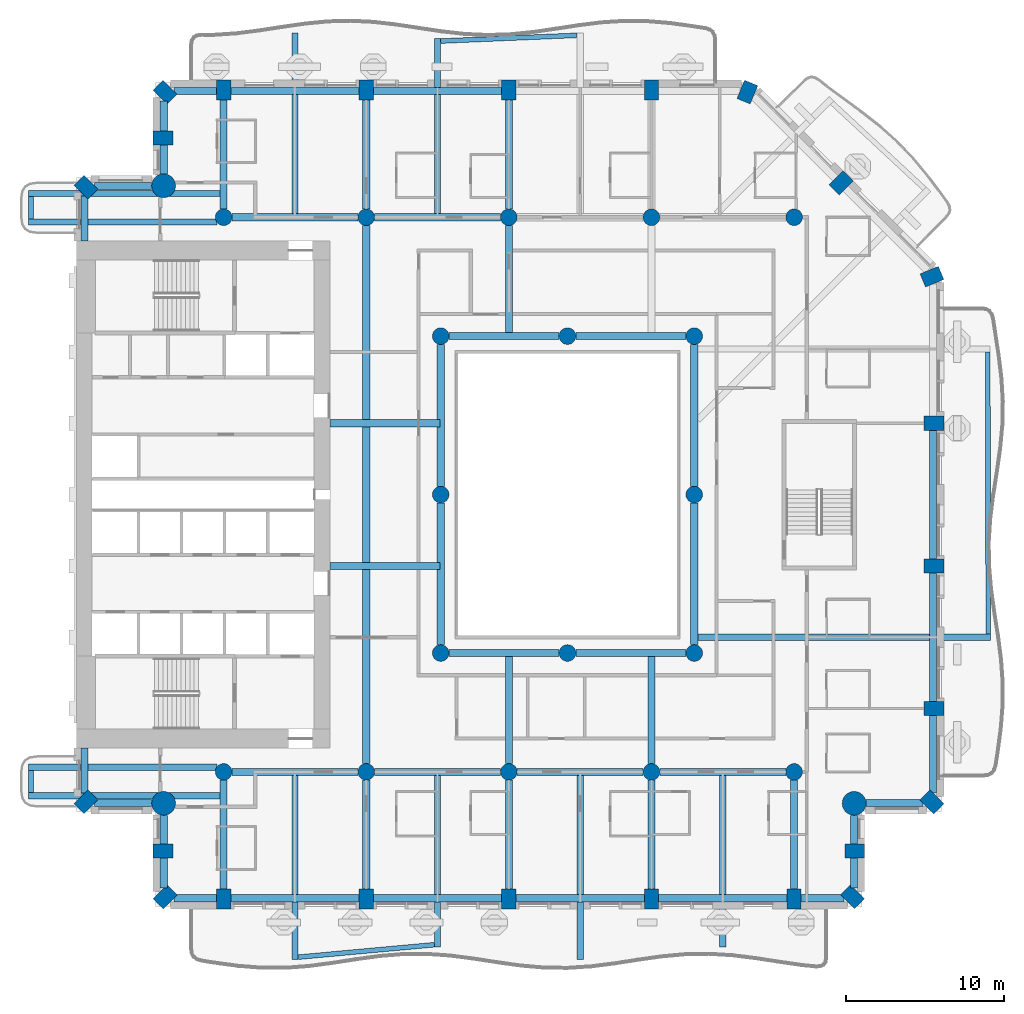
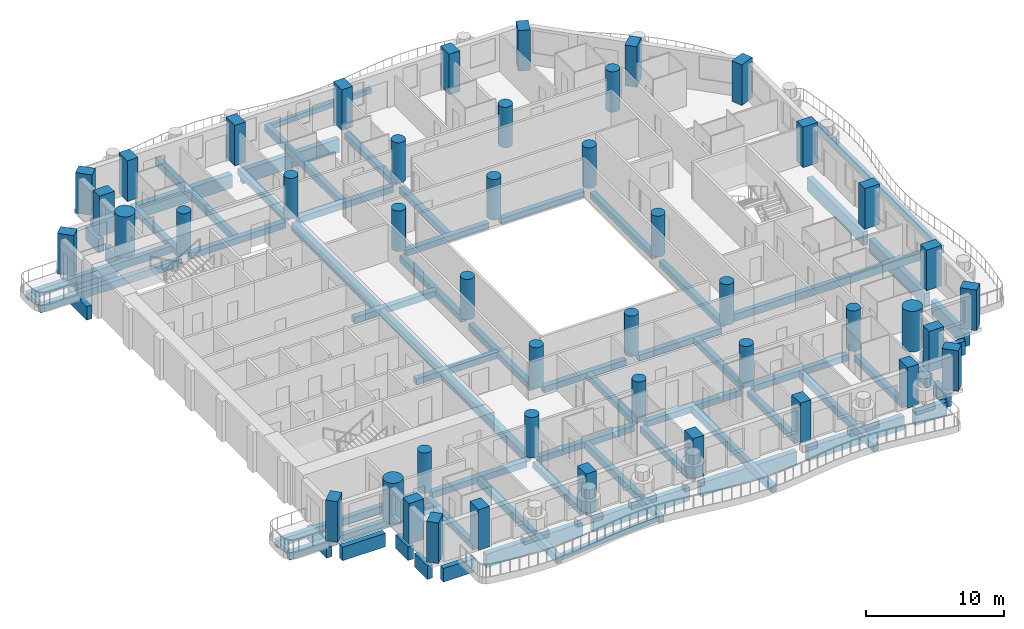
# One storey, part 1 of 20: 69 beams, 45 columns.
"""IFC4 building model written with IfcOpenShell, lengths in metres."""

from ifc_helpers import new_model, si_unit, direction, frame, origin, origin_2d, place, context, subcontext, project, spatial, rectangle, circle, extrude, material, material_profile, profile_set, type_object, element, save


model = new_model("IFC4")

# Units and contexts
model_context = context("Model", 3, precision=1e-05, world=origin(), true_north=direction((0.0, 1.0)))
body_context = subcontext(model_context, "Body", "Model", "MODEL_VIEW")
ifc_project = project(units=[si_unit("LENGTHUNIT", "METRE"), si_unit("AREAUNIT", "SQUARE_METRE"), si_unit("VOLUMEUNIT", "CUBIC_METRE"), si_unit("PLANEANGLEUNIT", "RADIAN"), si_unit("MASSUNIT", "GRAM", prefix="KILO")], contexts=[model_context])

# Site, building, storey
site_placement = place(None, origin())
site = spatial("IfcSite", under=ifc_project, at=site_placement, CompositionType="ELEMENT")
building_placement = place(site_placement, origin())
building = spatial("IfcBuilding", under=site, at=building_placement, Name="Cypress Arch Tower", CompositionType="ELEMENT")
storey_placement = place(building_placement, frame((0.0, 0.0, 113.10009765625)))
storey = spatial("IfcBuildingStorey", under=building, at=storey_placement, Name="L23", CompositionType="ELEMENT", Elevation=113.10009765625)

# Columns
ifc_material_1 = material(Name="Concrete C80/95", Category="concrete")
ifc_material_profile_1 = material_profile(ifc_material_1, rectangle(XDim=0.89990234375, YDim=1.25, at=origin_2d()), Name="RC 900x1250")
ifc_profile_set_1 = profile_set([ifc_material_profile_1], Name="Concrete C80/95")
column_type_1 = type_object("IfcColumnType", Name="Column RC 900x1250 Concrete C80/95", PredefinedType="COLUMN", material=ifc_profile_set_1)
for number, where, z_axis, x_axis, name in (
    (1, (-29.389892578125, 19.389892578125, 0.0), (0.0, 0.0, 1.0), (-0.707106781187, -0.707106781187, 0.0), "Column L23 CA00"),
    (2, (-29.389892578125, -19.389892578125, 0.0), (0.0, 0.0, 1.0), (0.707106781187, -0.707106781187, 0.0), "Column L23 CA01"),
    (3, (-24.52490234375, -22.5, 0.0), (0.0, 0.0, 1.0), (0.0, -1.0, 0.0), "Column L23 CA03"),
    (4, (-24.389892578125, -25.389892578125, 0.0), (0.0, 0.0, 1.0), (0.707106781187, -0.707106781187, 0.0), "Column L23 CA04"),
    (5, (-20.699951171875, -25.52490234375, 0.0), (0.0, 0.0, 1.0), (1.0, 0.0, 0.0), "Column L23 CA05"),
    (6, (-11.699951171875, -25.52490234375, 0.0), (0.0, 0.0, 1.0), (1.0, 0.0, 0.0), "Column L23 CA06"),
    (7, (-2.699951171875, -25.52490234375, 0.0), (0.0, 0.0, 1.0), (1.0, 0.0, 0.0), "Column L23 CA07"),
    (8, (6.300048828125, -25.52490234375, 0.0), (0.0, 0.0, 1.0), (1.0, 0.0, 0.0), "Column L23 CA08"),
    (9, (15.300048828125, -25.52490234375, 0.0), (0.0, 0.0, 1.0), (1.0, 0.0, 0.0), "Column L23 CA09"),
    (10, (18.98974609375, -25.389892578125, 0.0), (0.0, 0.0, 1.0), (0.707106781187, 0.707106781187, 0.0), "Column L23 CA10"),
    (11, (19.125, -22.5, 0.0), (0.0, 0.0, 1.0), (0.0, 1.0, 0.0), "Column L23 CA11"),
    (12, (23.98974609375, -19.389892578125, 0.0), (0.0, 0.0, 1.0), (0.707106781187, 0.707106781187, 0.0), "Column L23 CA13"),
    (13, (24.125, -13.5, 0.0), (0.0, 0.0, 1.0), (0.0, 1.0, 0.0), "Column L23 CA14"),
    (14, (24.125, -4.5, 0.0), (0.0, 0.0, 1.0), (0.0, 1.0, 0.0), "Column L23 CA15"),
    (15, (24.125, 4.5, 0.0), (0.0, 0.0, 1.0), (0.0, 1.0, 0.0), "Column L23 CA16"),
    (16, (24.00048828125, 13.751708984375, 0.0), (0.0, 0.0, 1.0), (-0.382683496864, 0.923879505795, 0.0), "Column L23 CA17"),
    (17, (18.26416015625, 19.6640625, 0.0), (0.0, 0.0, 1.0), (-0.707106781187, 0.707106781187, 0.0), "Column L23 CA18"),
    (18, (12.3515625, 25.400390625, 0.0), (0.0, 0.0, 1.0), (-0.923879505795, 0.382683496864, 0.0), "Column L23 CA19"),
    (19, (6.300048828125, 25.52490234375, 0.0), (0.0, 0.0, 1.0), (-1.0, 0.0, 0.0), "Column L23 CA20"),
    (20, (-2.699951171875, 25.52490234375, 0.0), (0.0, 0.0, 1.0), (-1.0, 0.0, 0.0), "Column L23 CA21"),
    (21, (-11.699951171875, 25.52490234375, 0.0), (0.0, 0.0, 1.0), (-1.0, 0.0, 0.0), "Column L23 CA22"),
    (22, (-20.699951171875, 25.52490234375, 0.0), (0.0, 0.0, 1.0), (-1.0, 0.0, 0.0), "Column L23 CA23"),
    (23, (-24.389892578125, 25.389892578125, 0.0), (0.0, 0.0, 1.0), (-0.707106781187, -0.707106781187, 0.0), "Column L23 CA24"),
    (24, (-24.52490234375, 22.5, 0.0), (0.0, 0.0, 1.0), (0.0, -1.0, 0.0), "Column L23 CA25"),
):
    element("IfcColumn", number, at=place(storey_placement, frame(where, z_axis=z_axis, x_axis=x_axis)), inside=storey, type_object=column_type_1, Name=name, PredefinedType="COLUMN", context=body_context, shape_type="SweptSolid", body=[
        extrude(rectangle(XDim=0.89990234375, YDim=1.25, at=origin_2d()), origin(), (0.0, 0.0, 1.0), 3.599853515625),
    ])
ifc_material_2 = material(Name="Concrete C70/85", Category="concrete")
ifc_material_profile_2 = material_profile(ifc_material_2, circle(Radius=0.52490234375, at=origin_2d()), Name="RC D1050")
ifc_profile_set_2 = profile_set([ifc_material_profile_2], Name="Concrete C70/85")
column_type_2 = type_object("IfcColumnType", Name="Column RC D1050 Concrete C70/85", PredefinedType="COLUMN", material=ifc_profile_set_2)
for number, where, z_axis, x_axis, name in (
    (25, (-20.699951171875, -17.5, 0.0), (0.0, 0.0, 1.0), (1.0, 0.0, 0.0), "Column L23 CIC-L23-CI3S"),
    (26, (-11.699951171875, -17.5, 0.0), (0.0, 0.0, 1.0), (1.0, 0.0, 0.0), "Column L23 CIC-L23-CI4S"),
    (27, (-2.699951171875, -17.5, 0.0), (0.0, 0.0, 1.0), (1.0, 0.0, 0.0), "Column L23 CIC-L23-CI5S"),
    (28, (6.300048828125, -17.5, 0.0), (0.0, 0.0, 1.0), (1.0, 0.0, 0.0), "Column L23 CIC-L23-CI6S"),
    (29, (15.300048828125, -17.5, 0.0), (0.0, 0.0, 1.0), (1.0, 0.0, 0.0), "Column L23 CIC-L23-CI7S"),
    (30, (-20.699951171875, 17.5, 0.0), (0.0, 0.0, 1.0), (1.0, 0.0, 0.0), "Column L23 CIC-L23-CI3N"),
    (31, (-11.699951171875, 17.5, 0.0), (0.0, 0.0, 1.0), (1.0, 0.0, 0.0), "Column L23 CIC-L23-CI4N"),
    (32, (-2.699951171875, 17.5, 0.0), (0.0, 0.0, 1.0), (1.0, 0.0, 0.0), "Column L23 CIC-L23-CI5N"),
    (33, (6.300048828125, 17.5, 0.0), (0.0, 0.0, 1.0), (1.0, 0.0, 0.0), "Column L23 CIC-L23-CI6N"),
    (34, (15.300048828125, 17.5, 0.0), (0.0, 0.0, 1.0), (1.0, 0.0, 0.0), "Column L23 CIC-L23-CI7N"),
    (35, (-7.0, -10.0, 0.0), (0.0, 0.0, 1.0), (1.0, 0.0, 0.0), "Column L23 RNG-L23-G-7-10"),
    (36, (-7.0, 0.0, 0.0), (0.0, 0.0, 1.0), (1.0, 0.0, 0.0), "Column L23 RNG-L23-G-7+0"),
    (37, (-7.0, 10.0, 0.0), (0.0, 0.0, 1.0), (1.0, 0.0, 0.0), "Column L23 RNG-L23-G-7+10"),
    (38, (1.0, -10.0, 0.0), (0.0, 0.0, 1.0), (1.0, 0.0, 0.0), "Column L23 RNG-L23-G+1-10"),
    (39, (1.0, 10.0, 0.0), (0.0, 0.0, 1.0), (1.0, 0.0, 0.0), "Column L23 RNG-L23-G+1+10"),
    (40, (9.0, -10.0, 0.0), (0.0, 0.0, 1.0), (1.0, 0.0, 0.0), "Column L23 RNG-L23-G+9-10"),
    (41, (9.0, 0.0, 0.0), (0.0, 0.0, 1.0), (1.0, 0.0, 0.0), "Column L23 RNG-L23-G+9+0"),
    (42, (9.0, 10.0, 0.0), (0.0, 0.0, 1.0), (1.0, 0.0, 0.0), "Column L23 RNG-L23-G+9+10"),
):
    element("IfcColumn", number, at=place(storey_placement, frame(where, z_axis=z_axis, x_axis=x_axis)), inside=storey, type_object=column_type_2, Name=name, PredefinedType="COLUMN", context=body_context, shape_type="SweptSolid", body=[
        extrude(circle(Radius=0.52490234375, at=origin_2d()), origin(), (0.0, 0.0, 1.0), 3.599853515625),
    ])
ifc_material_3 = material(Name="Concrete C80/95", Category="concrete")
ifc_material_profile_3 = material_profile(ifc_material_3, circle(Radius=0.75, at=origin_2d()), Name="RC D1500")
ifc_profile_set_3 = profile_set([ifc_material_profile_3], Name="Concrete C80/95")
column_type_3 = type_object("IfcColumnType", Name="Mega-column RC D1500 Concrete C80/95", PredefinedType="COLUMN", material=ifc_profile_set_3)
for number, where, z_axis, x_axis, name in (
    (43, (-24.48779296875, -19.48779296875, 0.0), (0.0, 0.0, 1.0), (1.0, 0.0, 0.0), "Column L23 CA02"),
    (44, (19.087890625, -19.48779296875, 0.0), (0.0, 0.0, 1.0), (1.0, 0.0, 0.0), "Column L23 CA12"),
    (45, (-24.48779296875, 19.48779296875, 0.0), (0.0, 0.0, 1.0), (1.0, 0.0, 0.0), "Column L23 CA26"),
):
    element("IfcColumn", number, at=place(storey_placement, frame(where, z_axis=z_axis, x_axis=x_axis)), inside=storey, type_object=column_type_3, Name=name, PredefinedType="COLUMN", context=body_context, shape_type="SweptSolid", body=[
        extrude(circle(Radius=0.75, at=origin_2d()), origin(), (0.0, 0.0, 1.0), 3.599853515625),
    ])

# Beams
ifc_material_4 = material(Name="Concrete C50/60", Category="concrete")
ifc_material_profile_4 = material_profile(ifc_material_4, rectangle(XDim=0.300048828125, YDim=0.449951171875, at=origin_2d()), Name="RC 300x450")
ifc_profile_set_4 = profile_set([ifc_material_profile_4], Name="Concrete C50/60")
beam_type_1 = type_object("IfcBeamType", Name="Balcony edge beam RC 300x450 Concrete C50/60", PredefinedType="BEAM", material=ifc_profile_set_4)
beam_1_placement = place(storey_placement, frame((-16.0, -29.191650390625, -0.525146484375), z_axis=(0.995883931978, 0.090637707543, 0.0), x_axis=(-0.090637707543, 0.995883931978, 0.0)))
element("IfcBeam", 46, at=beam_1_placement, inside=storey, type_object=beam_type_1, Name="Balcony edge beam L23 A03", PredefinedType="BEAM", context=body_context, shape_type="SweptSolid", body=[
    extrude(rectangle(XDim=0.300048828125, YDim=0.449951171875, at=origin_2d()), origin(), (0.0, 0.0, 1.0), 8.6357421875),
])
beam_2_placement = place(storey_placement, frame((1.60009765625, 28.9814453125, -0.525146484375), z_axis=(-0.999116180262, -0.042034014056, 0.0), x_axis=(0.042034014056, -0.999116180262, 0.0)))
element("IfcBeam", 47, at=beam_2_placement, inside=storey, type_object=beam_type_1, Name="Balcony edge beam L23 A08", PredefinedType="BEAM", context=body_context, shape_type="SweptSolid", body=[
    extrude(rectangle(XDim=0.300048828125, YDim=0.449951171875, at=origin_2d()), origin(), (0.0, 0.0, 1.0), 8.607666015625),
])
ifc_material_5 = material(Name="Concrete C50/60", Category="concrete")
ifc_material_profile_5 = material_profile(ifc_material_5, rectangle(XDim=0.300048828125, YDim=0.64990234375, at=origin_2d()), Name="RC 300x650")
ifc_profile_set_5 = profile_set([ifc_material_profile_5], Name="Concrete C50/60")
beam_type_2 = type_object("IfcBeamType", Name="Balcony edge beam RC 300x650 Concrete C50/60", PredefinedType="BEAM", material=ifc_profile_set_5)
beam_3_placement = place(storey_placement, frame((27.552001953125, -8.800048828125, -0.625), z_axis=(-0.001605839349, 0.999998710639, 0.0), x_axis=(-0.999998710639, -0.001605839349, 0.0)))
element("IfcBeam", 48, at=beam_3_placement, inside=storey, type_object=beam_type_2, Name="Balcony edge beam L23 A06", PredefinedType="BEAM", context=body_context, shape_type="SweptSolid", body=[
    extrude(rectangle(XDim=0.300048828125, YDim=0.64990234375, at=origin_2d()), origin(), (0.0, 0.0, 1.0), 17.787841796875),
])
ifc_material_6 = material(Name="Concrete C50/60", Category="concrete")
ifc_material_profile_6 = material_profile(ifc_material_6, rectangle(XDim=0.300048828125, YDim=0.39990234375, at=origin_2d()), Name="RC 300x400")
ifc_profile_set_6 = profile_set([ifc_material_profile_6], Name="Concrete C50/60")
beam_type_3 = type_object("IfcBeamType", Name="Balcony stub beam RC 300x400 Concrete C50/60", PredefinedType="BEAM", material=ifc_profile_set_6)
for number, where, z_axis, x_axis, name in (
    (49, (-32.85009765625, 18.800048828125, -0.5), (0.0, -1.0, 0.0), (1.0, 0.0, 0.0), "Balcony stub beam L23 A00W0"),
    (50, (-32.85009765625, -17.39990234375, -0.5), (0.0, -1.0, 0.0), (1.0, 0.0, 0.0), "Balcony stub beam L23 A00W1"),
):
    element("IfcBeam", number, at=place(storey_placement, frame(where, z_axis=z_axis, x_axis=x_axis)), inside=storey, type_object=beam_type_3, Name=name, PredefinedType="BEAM", context=body_context, shape_type="SweptSolid", body=[
        extrude(rectangle(XDim=0.300048828125, YDim=0.39990234375, at=origin_2d()), origin(), (0.0, 0.0, 1.0), 1.400146484375),
    ])
ifc_material_7 = material(Name="Concrete C50/60", Category="concrete")
ifc_material_profile_7 = material_profile(ifc_material_7, rectangle(XDim=0.39990234375, YDim=0.64990234375, at=origin_2d()), Name="RC 400x650")
ifc_profile_set_7 = profile_set([ifc_material_profile_7], Name="Concrete C50/60")
beam_type_4 = type_object("IfcBeamType", Name="Cantilever beam RC 400x650 Concrete C50/60", PredefinedType="BEAM", material=ifc_profile_set_7)
beam_4_placement = place(storey_placement, frame((-20.925048828125, 19.0, -0.625), z_axis=(-1.0, 0.0, 0.0), x_axis=(0.0, -1.0, 0.0)))
element("IfcBeam", 51, at=beam_4_placement, inside=storey, type_object=beam_type_4, Name="Cantilever beam L23 A00 1", PredefinedType="BEAM", context=body_context, shape_type="SweptSolid", body=[
    extrude(rectangle(XDim=0.39990234375, YDim=0.64990234375, at=origin_2d()), origin(), (0.0, 0.0, 1.0), 12.074951171875),
])
for number, where, z_axis, x_axis, name in (
    (52, (-21.130615234375, 17.199951171875, -0.625), (-1.0, 0.0, 0.0), (0.0, -1.0, 0.0), "Cantilever beam L23 A00 2"),
    (53, (-21.130615234375, -17.199951171875, -0.625), (-1.0, 0.0, 0.0), (0.0, -1.0, 0.0), "Cantilever beam L23 A00 1"),
):
    element("IfcBeam", number, at=place(storey_placement, frame(where, z_axis=z_axis, x_axis=x_axis)), inside=storey, type_object=beam_type_4, Name=name, PredefinedType="BEAM", context=body_context, shape_type="SweptSolid", body=[
        extrude(rectangle(XDim=0.39990234375, YDim=0.64990234375, at=origin_2d()), origin(), (0.0, 0.0, 1.0), 11.869384765625),
    ])
beam_5_placement = place(storey_placement, frame((-20.925048828125, -19.0, -0.625), z_axis=(-1.0, 0.0, 0.0), x_axis=(0.0, -1.0, 0.0)))
element("IfcBeam", 54, at=beam_5_placement, inside=storey, type_object=beam_type_4, Name="Cantilever beam L23 A00 2", PredefinedType="BEAM", context=body_context, shape_type="SweptSolid", body=[
    extrude(rectangle(XDim=0.39990234375, YDim=0.64990234375, at=origin_2d()), origin(), (0.0, 0.0, 1.0), 12.074951171875),
])
beam_6_placement = place(storey_placement, frame((-16.199951171875, -17.72509765625, -0.625), z_axis=(0.0, -1.0, 0.0), x_axis=(1.0, 0.0, 0.0)))
element("IfcBeam", 55, at=beam_6_placement, inside=storey, type_object=beam_type_4, Name="Cantilever beam L23 A03 1", PredefinedType="BEAM", context=body_context, shape_type="SweptSolid", body=[
    extrude(rectangle(XDim=0.39990234375, YDim=0.64990234375, at=origin_2d()), origin(), (0.0, 0.0, 1.0), 11.616455078125),
])
beam_7_placement = place(storey_placement, frame((-7.199951171875, -17.72509765625, -0.625), z_axis=(0.0, -1.0, 0.0), x_axis=(1.0, 0.0, 0.0)))
element("IfcBeam", 56, at=beam_7_placement, inside=storey, type_object=beam_type_4, Name="Cantilever beam L23 A03 2", PredefinedType="BEAM", context=body_context, shape_type="SweptSolid", body=[
    extrude(rectangle(XDim=0.39990234375, YDim=0.64990234375, at=origin_2d()), origin(), (0.0, 0.0, 1.0), 10.833740234375),
])
beam_8_placement = place(storey_placement, frame((1.800048828125, -17.72509765625, -0.625), z_axis=(0.0, -1.0, 0.0), x_axis=(1.0, 0.0, 0.0)))
element("IfcBeam", 57, at=beam_8_placement, inside=storey, type_object=beam_type_4, Name="Cantilever beam L23 A03 3", PredefinedType="BEAM", context=body_context, shape_type="SweptSolid", body=[
    extrude(rectangle(XDim=0.39990234375, YDim=0.64990234375, at=origin_2d()), origin(), (0.0, 0.0, 1.0), 11.61572265625),
])
beam_9_placement = place(storey_placement, frame((10.800048828125, -17.72509765625, -0.625), z_axis=(0.0, -1.0, 0.0), x_axis=(1.0, 0.0, 0.0)))
element("IfcBeam", 58, at=beam_9_placement, inside=storey, type_object=beam_type_4, Name="Cantilever beam L23 A03 4", PredefinedType="BEAM", context=body_context, shape_type="SweptSolid", body=[
    extrude(rectangle(XDim=0.39990234375, YDim=0.64990234375, at=origin_2d()), origin(), (0.0, 0.0, 1.0), 10.833740234375),
])
beam_10_placement = place(storey_placement, frame((9.22509765625, -9.0, -0.625), z_axis=(1.0, 0.0, 0.0), x_axis=(0.0, 1.0, 0.0)))
element("IfcBeam", 59, at=beam_10_placement, inside=storey, type_object=beam_type_4, Name="Cantilever beam L23 A06 1", PredefinedType="BEAM", context=body_context, shape_type="SweptSolid", body=[
    extrude(rectangle(XDim=0.39990234375, YDim=0.64990234375, at=origin_2d()), origin(), (0.0, 0.0, 1.0), 18.47705078125),
])
beam_11_placement = place(storey_placement, frame((-7.199951171875, 17.72509765625, -0.625), z_axis=(0.0, 1.0, 0.0), x_axis=(-1.0, 0.0, 0.0)))
element("IfcBeam", 60, at=beam_11_placement, inside=storey, type_object=beam_type_4, Name="Cantilever beam L23 A08 2", PredefinedType="BEAM", context=body_context, shape_type="SweptSolid", body=[
    extrude(rectangle(XDim=0.39990234375, YDim=0.64990234375, at=origin_2d()), origin(), (0.0, 0.0, 1.0), 11.044677734375),
])
beam_12_placement = place(storey_placement, frame((-16.199951171875, 17.72509765625, -0.625), z_axis=(0.0, 1.0, 0.0), x_axis=(-1.0, 0.0, 0.0)))
element("IfcBeam", 61, at=beam_12_placement, inside=storey, type_object=beam_type_4, Name="Cantilever beam L23 A08 3", PredefinedType="BEAM", context=body_context, shape_type="SweptSolid", body=[
    extrude(rectangle(XDim=0.39990234375, YDim=0.64990234375, at=origin_2d()), origin(), (0.0, 0.0, 1.0), 11.402587890625),
])
ifc_material_8 = material(Name="Concrete C50/60", Category="concrete")
ifc_material_profile_8 = material_profile(ifc_material_8, rectangle(XDim=0.449951171875, YDim=0.550048828125, at=origin_2d()), Name="RC 450x550")
ifc_profile_set_8 = profile_set([ifc_material_profile_8], Name="Concrete C50/60")
beam_type_5 = type_object("IfcBeamType", Name="Floor beam RC 450x550 Concrete C50/60", PredefinedType="BEAM", material=ifc_profile_set_8)
for number, where, z_axis, x_axis, name in (
    (62, (-7.0, -9.47509765625, -0.5751953125), (0.0, 1.0, 0.0), (-1.0, 0.0, 0.0), "Floor beam L23 RB001"),
    (63, (-7.0, 0.52490234375, -0.5751953125), (0.0, 1.0, 0.0), (-1.0, 0.0, 0.0), "Floor beam L23 RB002"),
    (64, (9.0, -9.47509765625, -0.5751953125), (0.0, 1.0, 0.0), (-1.0, 0.0, 0.0), "Floor beam L23 RB003"),
    (65, (9.0, 0.52490234375, -0.5751953125), (0.0, 1.0, 0.0), (-1.0, 0.0, 0.0), "Floor beam L23 RB004"),
):
    element("IfcBeam", number, at=place(storey_placement, frame(where, z_axis=z_axis, x_axis=x_axis)), inside=storey, type_object=beam_type_5, Name=name, PredefinedType="BEAM", context=body_context, shape_type="SweptSolid", body=[
        extrude(rectangle(XDim=0.449951171875, YDim=0.550048828125, at=origin_2d()), origin(), (0.0, 0.0, 1.0), 8.9501953125),
    ])
for number, where, z_axis, x_axis, name in (
    (66, (-6.47509765625, -10.0, -0.5751953125), (1.0, 0.0, 0.0), (0.0, 1.0, 0.0), "Floor beam L23 RB005"),
    (67, (1.52490234375, -10.0, -0.5751953125), (1.0, 0.0, 0.0), (0.0, 1.0, 0.0), "Floor beam L23 RB006"),
    (68, (-6.47509765625, 10.0, -0.5751953125), (1.0, 0.0, 0.0), (0.0, 1.0, 0.0), "Floor beam L23 RB007"),
    (69, (1.52490234375, 10.0, -0.5751953125), (1.0, 0.0, 0.0), (0.0, 1.0, 0.0), "Floor beam L23 RB008"),
):
    element("IfcBeam", number, at=place(storey_placement, frame(where, z_axis=z_axis, x_axis=x_axis)), inside=storey, type_object=beam_type_5, Name=name, PredefinedType="BEAM", context=body_context, shape_type="SweptSolid", body=[
        extrude(rectangle(XDim=0.449951171875, YDim=0.550048828125, at=origin_2d()), origin(), (0.0, 0.0, 1.0), 6.9501953125),
    ])
for number, where, z_axis, x_axis, name in (
    (70, (-20.175048828125, -17.5, -0.5751953125), (1.0, 0.0, 0.0), (0.0, 1.0, 0.0), "Floor beam L23 FB009"),
    (71, (-11.175048828125, -17.5, -0.5751953125), (1.0, 0.0, 0.0), (0.0, 1.0, 0.0), "Floor beam L23 FB010"),
    (72, (-2.175048828125, -17.5, -0.5751953125), (1.0, 0.0, 0.0), (0.0, 1.0, 0.0), "Floor beam L23 FB011"),
    (73, (6.824951171875, -17.5, -0.5751953125), (1.0, 0.0, 0.0), (0.0, 1.0, 0.0), "Floor beam L23 FB012"),
):
    element("IfcBeam", number, at=place(storey_placement, frame(where, z_axis=z_axis, x_axis=x_axis)), inside=storey, type_object=beam_type_5, Name=name, PredefinedType="BEAM", context=body_context, shape_type="SweptSolid", body=[
        extrude(rectangle(XDim=0.449951171875, YDim=0.550048828125, at=origin_2d()), origin(), (0.0, 0.0, 1.0), 7.949951171875),
    ])
for number, where, z_axis, x_axis, name in (
    (74, (-14.0, -4.5, -0.5751953125), (1.0, 0.0, 0.0), (0.0, 1.0, 0.0), "Floor beam L23 FB013"),
    (75, (-14.0, 4.5, -0.5751953125), (1.0, 0.0, 0.0), (0.0, 1.0, 0.0), "Floor beam L23 FB014"),
):
    element("IfcBeam", number, at=place(storey_placement, frame(where, z_axis=z_axis, x_axis=x_axis)), inside=storey, type_object=beam_type_5, Name=name, PredefinedType="BEAM", context=body_context, shape_type="SweptSolid", body=[
        extrude(rectangle(XDim=0.449951171875, YDim=0.550048828125, at=origin_2d()), origin(), (0.0, 0.0, 1.0), 6.949951171875),
    ])
for number, where, z_axis, x_axis, name in (
    (76, (-20.175048828125, 17.5, -0.5751953125), (1.0, 0.0, 0.0), (0.0, 1.0, 0.0), "Floor beam L23 FB015"),
    (77, (-11.175048828125, 17.5, -0.5751953125), (1.0, 0.0, 0.0), (0.0, 1.0, 0.0), "Floor beam L23 FB016"),
):
    element("IfcBeam", number, at=place(storey_placement, frame(where, z_axis=z_axis, x_axis=x_axis)), inside=storey, type_object=beam_type_5, Name=name, PredefinedType="BEAM", context=body_context, shape_type="SweptSolid", body=[
        extrude(rectangle(XDim=0.449951171875, YDim=0.550048828125, at=origin_2d()), origin(), (0.0, 0.0, 1.0), 7.949951171875),
    ])
for number, where, z_axis, x_axis, name in (
    (78, (-20.699951171875, -24.89990234375, -0.5751953125), (0.0, 1.0, 0.0), (-1.0, 0.0, 0.0), "Floor beam L23 FB019"),
    (79, (-20.699951171875, 18.02490234375, -0.5751953125), (0.0, 1.0, 0.0), (-1.0, 0.0, 0.0), "Floor beam L23 FB020"),
    (80, (-11.699951171875, -24.89990234375, -0.5751953125), (0.0, 1.0, 0.0), (-1.0, 0.0, 0.0), "Floor beam L23 FB021"),
):
    element("IfcBeam", number, at=place(storey_placement, frame(where, z_axis=z_axis, x_axis=x_axis)), inside=storey, type_object=beam_type_5, Name=name, PredefinedType="BEAM", context=body_context, shape_type="SweptSolid", body=[
        extrude(rectangle(XDim=0.449951171875, YDim=0.550048828125, at=origin_2d()), origin(), (0.0, 0.0, 1.0), 6.875),
    ])
beam_13_placement = place(storey_placement, frame((-11.699951171875, -4.27490234375, -0.5751953125), z_axis=(0.0, 1.0, 0.0), x_axis=(-1.0, 0.0, 0.0)))
element("IfcBeam", 81, at=beam_13_placement, inside=storey, type_object=beam_type_5, Name="Floor beam L23 FB023", PredefinedType="BEAM", context=body_context, shape_type="SweptSolid", body=[
    extrude(rectangle(XDim=0.449951171875, YDim=0.550048828125, at=origin_2d()), origin(), (0.0, 0.0, 1.0), 8.5498046875),
])
for number, where, z_axis, x_axis, name in (
    (82, (-11.699951171875, 18.02490234375, -0.5751953125), (0.0, 1.0, 0.0), (-1.0, 0.0, 0.0), "Floor beam L23 FB025"),
    (83, (-2.699951171875, -24.89990234375, -0.5751953125), (0.0, 1.0, 0.0), (-1.0, 0.0, 0.0), "Floor beam L23 FB026"),
):
    element("IfcBeam", number, at=place(storey_placement, frame(where, z_axis=z_axis, x_axis=x_axis)), inside=storey, type_object=beam_type_5, Name=name, PredefinedType="BEAM", context=body_context, shape_type="SweptSolid", body=[
        extrude(rectangle(XDim=0.449951171875, YDim=0.550048828125, at=origin_2d()), origin(), (0.0, 0.0, 1.0), 6.875),
    ])
for number, where, z_axis, x_axis, name in (
    (84, (-2.699951171875, -16.97509765625, -0.5751953125), (0.0, 1.0, 0.0), (-1.0, 0.0, 0.0), "Floor beam L23 FB027"),
    (85, (-2.699951171875, 10.22509765625, -0.5751953125), (0.0, 1.0, 0.0), (-1.0, 0.0, 0.0), "Floor beam L23 FB028"),
):
    element("IfcBeam", number, at=place(storey_placement, frame(where, z_axis=z_axis, x_axis=x_axis)), inside=storey, type_object=beam_type_5, Name=name, PredefinedType="BEAM", context=body_context, shape_type="SweptSolid", body=[
        extrude(rectangle(XDim=0.449951171875, YDim=0.550048828125, at=origin_2d()), origin(), (0.0, 0.0, 1.0), 6.75),
    ])
for number, where, z_axis, x_axis, name in (
    (86, (-2.699951171875, 18.02490234375, -0.5751953125), (0.0, 1.0, 0.0), (-1.0, 0.0, 0.0), "Floor beam L23 FB029"),
    (87, (6.300048828125, -24.89990234375, -0.5751953125), (0.0, 1.0, 0.0), (-1.0, 0.0, 0.0), "Floor beam L23 FB030"),
):
    element("IfcBeam", number, at=place(storey_placement, frame(where, z_axis=z_axis, x_axis=x_axis)), inside=storey, type_object=beam_type_5, Name=name, PredefinedType="BEAM", context=body_context, shape_type="SweptSolid", body=[
        extrude(rectangle(XDim=0.449951171875, YDim=0.550048828125, at=origin_2d()), origin(), (0.0, 0.0, 1.0), 6.875),
    ])
beam_14_placement = place(storey_placement, frame((6.300048828125, -16.97509765625, -0.5751953125), z_axis=(0.0, 1.0, 0.0), x_axis=(-1.0, 0.0, 0.0)))
element("IfcBeam", 88, at=beam_14_placement, inside=storey, type_object=beam_type_5, Name="Floor beam L23 FB031", PredefinedType="BEAM", context=body_context, shape_type="SweptSolid", body=[
    extrude(rectangle(XDim=0.449951171875, YDim=0.550048828125, at=origin_2d()), origin(), (0.0, 0.0, 1.0), 6.75),
])
beam_15_placement = place(storey_placement, frame((15.300048828125, -24.89990234375, -0.5751953125), z_axis=(0.0, 1.0, 0.0), x_axis=(-1.0, 0.0, 0.0)))
element("IfcBeam", 89, at=beam_15_placement, inside=storey, type_object=beam_type_5, Name="Floor beam L23 FB034", PredefinedType="BEAM", context=body_context, shape_type="SweptSolid", body=[
    extrude(rectangle(XDim=0.449951171875, YDim=0.550048828125, at=origin_2d()), origin(), (0.0, 0.0, 1.0), 6.875),
])
ifc_material_9 = material(Name="Concrete C50/60", Category="concrete")
ifc_material_profile_9 = material_profile(ifc_material_9, rectangle(XDim=0.5, YDim=0.699951171875, at=origin_2d()), Name="RC 500x700")
ifc_profile_set_9 = profile_set([ifc_material_profile_9], Name="Concrete C50/60")
beam_type_6 = type_object("IfcBeamType", Name="Floor beam RC 500x700 Concrete C50/60", PredefinedType="BEAM", material=ifc_profile_set_9)
for number, where, z_axis, x_axis, name in (
    (90, (-11.699951171875, -16.97509765625, -0.650146484375), (0.0, 1.0, 0.0), (-1.0, 0.0, 0.0), "Floor beam L23 FB022"),
    (91, (-11.699951171875, 4.72509765625, -0.650146484375), (0.0, 1.0, 0.0), (-1.0, 0.0, 0.0), "Floor beam L23 FB024"),
):
    element("IfcBeam", number, at=place(storey_placement, frame(where, z_axis=z_axis, x_axis=x_axis)), inside=storey, type_object=beam_type_6, Name=name, PredefinedType="BEAM", context=body_context, shape_type="SweptSolid", body=[
        extrude(rectangle(XDim=0.5, YDim=0.699951171875, at=origin_2d()), origin(), (0.0, 0.0, 1.0), 12.25),
    ])
ifc_material_10 = material(Name="Concrete C50/60", Category="concrete")
ifc_material_profile_10 = material_profile(ifc_material_10, rectangle(XDim=0.449951171875, YDim=1.199951171875, at=origin_2d()), Name="RC 450x1200")
ifc_profile_set_10 = profile_set([ifc_material_profile_10], Name="Concrete C50/60")
beam_type_7 = type_object("IfcBeamType", Name="Spandrel beam RC 450x1200 Concrete C50/60", PredefinedType="SPANDREL", material=ifc_profile_set_10)
for number, where, z_axis, x_axis, name in (
    (92, (-29.47509765625, 18.838623046875, -1.550048828125), (0.0, -1.0, 0.0), (1.0, 0.0, 0.0), "Spandrel beam L23 BA00-0"),
    (93, (-29.47509765625, -16.0, -1.550048828125), (0.0, -1.0, 0.0), (1.0, 0.0, 0.0), "Spandrel beam L23 BA00-0"),
):
    element("IfcBeam", number, at=place(storey_placement, frame(where, z_axis=z_axis, x_axis=x_axis)), inside=storey, type_object=beam_type_7, Name=name, PredefinedType="SPANDREL", context=body_context, shape_type="SweptSolid", body=[
        extrude(rectangle(XDim=0.449951171875, YDim=1.199951171875, at=origin_2d()), origin(), (0.0, 0.0, 1.0), 2.838623046875),
    ])
beam_16_placement = place(storey_placement, frame((-28.838623046875, -19.47509765625, -1.550048828125), z_axis=(1.0, 0.0, 0.0), x_axis=(0.0, 1.0, 0.0)))
element("IfcBeam", 94, at=beam_16_placement, inside=storey, type_object=beam_type_7, Name="Spandrel beam L23 BA01-0", PredefinedType="SPANDREL", context=body_context, shape_type="SweptSolid", body=[
    extrude(rectangle(XDim=0.449951171875, YDim=1.199951171875, at=origin_2d()), origin(), (0.0, 0.0, 1.0), 3.60107421875),
])
beam_17_placement = place(storey_placement, frame((-24.47509765625, -20.237548828125, -1.550048828125), z_axis=(0.0, -1.0, 0.0), x_axis=(1.0, 0.0, 0.0)))
element("IfcBeam", 95, at=beam_17_placement, inside=storey, type_object=beam_type_7, Name="Spandrel beam L23 BA02-0", PredefinedType="SPANDREL", context=body_context, shape_type="SweptSolid", body=[
    extrude(rectangle(XDim=0.449951171875, YDim=1.199951171875, at=origin_2d()), origin(), (0.0, 0.0, 1.0), 1.8125),
])
beam_18_placement = place(storey_placement, frame((-24.47509765625, -22.949951171875, -1.550048828125), z_axis=(0.0, -1.0, 0.0), x_axis=(1.0, 0.0, 0.0)))
element("IfcBeam", 96, at=beam_18_placement, inside=storey, type_object=beam_type_7, Name="Spandrel beam L23 BA02-1", PredefinedType="SPANDREL", context=body_context, shape_type="SweptSolid", body=[
    extrude(rectangle(XDim=0.449951171875, YDim=1.199951171875, at=origin_2d()), origin(), (0.0, 0.0, 1.0), 1.888671875),
])
beam_19_placement = place(storey_placement, frame((-23.838623046875, -25.47509765625, -1.550048828125), z_axis=(1.0, 0.0, 0.0), x_axis=(0.0, 1.0, 0.0)))
element("IfcBeam", 97, at=beam_19_placement, inside=storey, type_object=beam_type_7, Name="Spandrel beam L23 BA03-0", PredefinedType="SPANDREL", context=body_context, shape_type="SweptSolid", body=[
    extrude(rectangle(XDim=0.449951171875, YDim=1.199951171875, at=origin_2d()), origin(), (0.0, 0.0, 1.0), 2.688720703125),
])
for number, where, z_axis, x_axis, name in (
    (98, (-20.25, -25.47509765625, -1.550048828125), (1.0, 0.0, 0.0), (0.0, 1.0, 0.0), "Spandrel beam L23 BA03-1"),
    (99, (-11.25, -25.47509765625, -1.550048828125), (1.0, 0.0, 0.0), (0.0, 1.0, 0.0), "Spandrel beam L23 BA03-2"),
    (100, (-2.25, -25.47509765625, -1.550048828125), (1.0, 0.0, 0.0), (0.0, 1.0, 0.0), "Spandrel beam L23 BA03-3"),
    (101, (6.75, -25.47509765625, -1.550048828125), (1.0, 0.0, 0.0), (0.0, 1.0, 0.0), "Spandrel beam L23 BA03-4"),
):
    element("IfcBeam", number, at=place(storey_placement, frame(where, z_axis=z_axis, x_axis=x_axis)), inside=storey, type_object=beam_type_7, Name=name, PredefinedType="SPANDREL", context=body_context, shape_type="SweptSolid", body=[
        extrude(rectangle(XDim=0.449951171875, YDim=1.199951171875, at=origin_2d()), origin(), (0.0, 0.0, 1.0), 8.10009765625),
    ])
beam_20_placement = place(storey_placement, frame((15.75, -25.47509765625, -1.550048828125), z_axis=(1.0, 0.0, 0.0), x_axis=(0.0, 1.0, 0.0)))
element("IfcBeam", 102, at=beam_20_placement, inside=storey, type_object=beam_type_7, Name="Spandrel beam L23 BA03-5", PredefinedType="SPANDREL", context=body_context, shape_type="SweptSolid", body=[
    extrude(rectangle(XDim=0.449951171875, YDim=1.199951171875, at=origin_2d()), origin(), (0.0, 0.0, 1.0), 2.688720703125),
])
beam_21_placement = place(storey_placement, frame((19.074951171875, -24.838623046875, -1.550048828125), z_axis=(0.0, 1.0, 0.0), x_axis=(-1.0, 0.0, 0.0)))
element("IfcBeam", 103, at=beam_21_placement, inside=storey, type_object=beam_type_7, Name="Spandrel beam L23 BA04-0", PredefinedType="SPANDREL", context=body_context, shape_type="SweptSolid", body=[
    extrude(rectangle(XDim=0.449951171875, YDim=1.199951171875, at=origin_2d()), origin(), (0.0, 0.0, 1.0), 1.888671875),
])
beam_22_placement = place(storey_placement, frame((19.074951171875, -22.050048828125, -1.550048828125), z_axis=(0.0, 1.0, 0.0), x_axis=(-1.0, 0.0, 0.0)))
element("IfcBeam", 104, at=beam_22_placement, inside=storey, type_object=beam_type_7, Name="Spandrel beam L23 BA04-1", PredefinedType="SPANDREL", context=body_context, shape_type="SweptSolid", body=[
    extrude(rectangle(XDim=0.449951171875, YDim=1.199951171875, at=origin_2d()), origin(), (0.0, 0.0, 1.0), 1.8125),
])
beam_23_placement = place(storey_placement, frame((19.837646484375, -19.47509765625, -1.550048828125), z_axis=(1.0, 0.0, 0.0), x_axis=(0.0, 1.0, 0.0)))
element("IfcBeam", 105, at=beam_23_placement, inside=storey, type_object=beam_type_7, Name="Spandrel beam L23 BA05-0", PredefinedType="SPANDREL", context=body_context, shape_type="SweptSolid", body=[
    extrude(rectangle(XDim=0.449951171875, YDim=1.199951171875, at=origin_2d()), origin(), (0.0, 0.0, 1.0), 3.60107421875),
])
beam_24_placement = place(storey_placement, frame((24.074951171875, -18.838623046875, -1.550048828125), z_axis=(0.0, 1.0, 0.0), x_axis=(-1.0, 0.0, 0.0)))
element("IfcBeam", 106, at=beam_24_placement, inside=storey, type_object=beam_type_7, Name="Spandrel beam L23 BA06-0", PredefinedType="SPANDREL", context=body_context, shape_type="SweptSolid", body=[
    extrude(rectangle(XDim=0.449951171875, YDim=1.199951171875, at=origin_2d()), origin(), (0.0, 0.0, 1.0), 4.888671875),
])
for number, where, z_axis, x_axis, name in (
    (107, (24.074951171875, -13.050048828125, -1.550048828125), (0.0, 1.0, 0.0), (-1.0, 0.0, 0.0), "Spandrel beam L23 BA06-1"),
    (108, (24.074951171875, -4.050048828125, -1.550048828125), (0.0, 1.0, 0.0), (-1.0, 0.0, 0.0), "Spandrel beam L23 BA06-2"),
    (109, (-3.14990234375, 25.47509765625, -1.550048828125), (-1.0, 0.0, 0.0), (0.0, -1.0, 0.0), "Spandrel beam L23 BA08-2"),
    (110, (-12.14990234375, 25.47509765625, -1.550048828125), (-1.0, 0.0, 0.0), (0.0, -1.0, 0.0), "Spandrel beam L23 BA08-3"),
):
    element("IfcBeam", number, at=place(storey_placement, frame(where, z_axis=z_axis, x_axis=x_axis)), inside=storey, type_object=beam_type_7, Name=name, PredefinedType="SPANDREL", context=body_context, shape_type="SweptSolid", body=[
        extrude(rectangle(XDim=0.449951171875, YDim=1.199951171875, at=origin_2d()), origin(), (0.0, 0.0, 1.0), 8.10009765625),
    ])
beam_25_placement = place(storey_placement, frame((-21.14990234375, 25.47509765625, -1.550048828125), z_axis=(-1.0, 0.0, 0.0), x_axis=(0.0, -1.0, 0.0)))
element("IfcBeam", 111, at=beam_25_placement, inside=storey, type_object=beam_type_7, Name="Spandrel beam L23 BA08-4", PredefinedType="SPANDREL", context=body_context, shape_type="SweptSolid", body=[
    extrude(rectangle(XDim=0.449951171875, YDim=1.199951171875, at=origin_2d()), origin(), (0.0, 0.0, 1.0), 2.688720703125),
])
beam_26_placement = place(storey_placement, frame((-24.47509765625, 24.838623046875, -1.550048828125), z_axis=(0.0, -1.0, 0.0), x_axis=(1.0, 0.0, 0.0)))
element("IfcBeam", 112, at=beam_26_placement, inside=storey, type_object=beam_type_7, Name="Spandrel beam L23 BA09-0", PredefinedType="SPANDREL", context=body_context, shape_type="SweptSolid", body=[
    extrude(rectangle(XDim=0.449951171875, YDim=1.199951171875, at=origin_2d()), origin(), (0.0, 0.0, 1.0), 1.888671875),
])
beam_27_placement = place(storey_placement, frame((-24.47509765625, 22.050048828125, -1.550048828125), z_axis=(0.0, -1.0, 0.0), x_axis=(1.0, 0.0, 0.0)))
element("IfcBeam", 113, at=beam_27_placement, inside=storey, type_object=beam_type_7, Name="Spandrel beam L23 BA09-1", PredefinedType="SPANDREL", context=body_context, shape_type="SweptSolid", body=[
    extrude(rectangle(XDim=0.449951171875, YDim=1.199951171875, at=origin_2d()), origin(), (0.0, 0.0, 1.0), 1.8125),
])
beam_28_placement = place(storey_placement, frame((-25.237548828125, 19.47509765625, -1.550048828125), z_axis=(-1.0, 0.0, 0.0), x_axis=(0.0, -1.0, 0.0)))
element("IfcBeam", 114, at=beam_28_placement, inside=storey, type_object=beam_type_7, Name="Spandrel beam L23 BA10-0", PredefinedType="SPANDREL", context=body_context, shape_type="SweptSolid", body=[
    extrude(rectangle(XDim=0.449951171875, YDim=1.199951171875, at=origin_2d()), origin(), (0.0, 0.0, 1.0), 3.60107421875),
])

save(model, "model.ifc")
